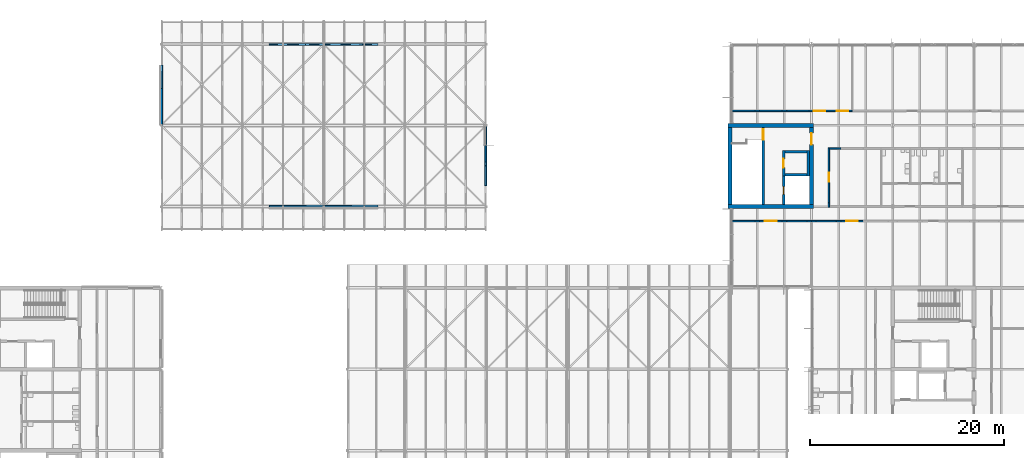
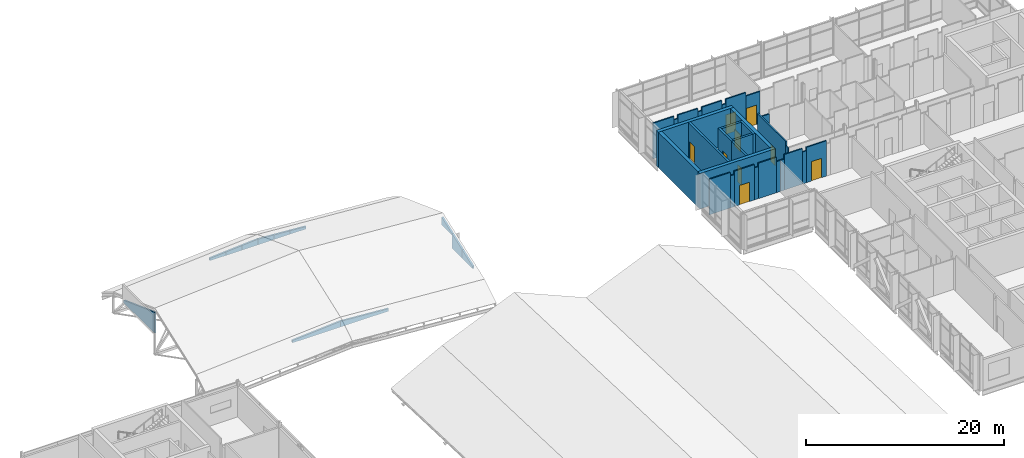
# One storey, part 37 of 76: 43 walls, 9 doors, 9 openings.
"""IFC4 building model written with IfcOpenShell, lengths in metres."""

from ifc_helpers import new_model, si_unit, direction, frame, frame_2d, origin, place, context, subcontext, project, spatial, polyline, rectangle, outline, extrude, material, layer, layer_set, type_object, element, fill, save


model = new_model("IFC4")

# Units and contexts
model_context = context("Model", 3, precision=1e-05, world=origin(), true_north=direction((0.0, 1.0)))
body_context = subcontext(model_context, "Body", "Model", "MODEL_VIEW")
ifc_project = project(units=[si_unit("LENGTHUNIT", "METRE"), si_unit("AREAUNIT", "SQUARE_METRE"), si_unit("VOLUMEUNIT", "CUBIC_METRE"), si_unit("PLANEANGLEUNIT", "RADIAN"), si_unit("MASSUNIT", "GRAM", prefix="KILO")], contexts=[model_context])

# Site, building, storey
site_placement = place(None, origin())
site = spatial("IfcSite", under=ifc_project, at=site_placement, CompositionType="ELEMENT")
building_placement = place(site_placement, origin())
building = spatial("IfcBuilding", under=site, at=building_placement, Name="Hlaing Beacon Police Headquarters", CompositionType="ELEMENT")
storey_placement = place(building_placement, frame((0.0, 0.0, 18.89990234375)))
storey = spatial("IfcBuildingStorey", under=building, at=storey_placement, Name="L04", CompositionType="ELEMENT", Elevation=18.89990234375)

# Walls
ifc_material_1 = material(Name="Concrete C60/75", Category="concrete")
ifc_layer_1 = layer(ifc_material_1, 0.39990234375)
ifc_layer_set_1 = layer_set([ifc_layer_1], Name="Concrete C60/75")
wall_type_1 = type_object("IfcWallType", Name="Core shear wall 400", PredefinedType="SHEAR", material=ifc_layer_set_1)
for number, where, z_axis, x_axis, name in (
    (1, (92.199951171875, 75.60009765625, 0.0), (0.0, 0.0, 1.0), (1.0, 0.0, 0.0), "Core shear wall"),
    (2, (92.199951171875, 84.0, 0.0), (0.0, 0.0, 1.0), (1.0, 0.0, 0.0), "Core shear wall"),
):
    element("IfcWall", number, at=place(storey_placement, frame(where, z_axis=z_axis, x_axis=x_axis)), inside=storey, type_object=wall_type_1, Name=name, PredefinedType="SHEAR", context=body_context, shape_type="SweptSolid", body=[
        extrude(rectangle(XDim=8.800048828125, YDim=0.39990234375, at=frame_2d((4.39990234375, 0.0))), origin(), (0.0, 0.0, 1.0), 4.3701171875),
    ])
wall_1_placement = place(storey_placement, frame((92.39990234375, 75.800048828125, 0.0), z_axis=(0.0, 0.0, 1.0), x_axis=(0.0, 1.0, 0.0)))
element("IfcWall", 3, at=wall_1_placement, inside=storey, type_object=wall_type_1, Name="Core shear wall", PredefinedType="SHEAR", context=body_context, shape_type="SweptSolid", body=[
    extrude(rectangle(XDim=8.0, YDim=0.39990234375, at=frame_2d((4.0, 0.0))), origin(), (0.0, 0.0, 1.0), 4.3701171875),
])

# Wall, opening, door
wall_2_placement = place(storey_placement, frame((100.800048828125, 75.800048828125, 0.0), z_axis=(0.0, 0.0, 1.0), x_axis=(0.0, 1.0, 0.0)))
wall_2 = element("IfcWall", 4, at=wall_2_placement, inside=storey, type_object=wall_type_1, Name="Core shear wall", PredefinedType="SHEAR", context=body_context, shape_type="SweptSolid", body=[
    extrude(rectangle(XDim=8.0, YDim=0.39990234375, at=frame_2d((4.0, 0.0))), origin(), (0.0, 0.0, 1.0), 4.3701171875),
])
opening_1_placement = place(wall_2_placement, frame((6.199951171875, 0.0, 0.0)))
opening_1 = element("IfcOpeningElement", 5, at=opening_1_placement, cuts=wall_2, Name="Opening L04-932", PredefinedType="OPENING", context=body_context, shape_type="SweptSolid", body=[
    extrude(rectangle(XDim=1.199951171875, YDim=2.10009765625, at=frame_2d((0.60009765625, 1.050048828125))), frame((0.0, 0.2099609375, 0.0), z_axis=(0.0, -1.0, 0.0), x_axis=(1.0, 0.0, 0.0)), (0.0, 0.0, 1.0), 0.419921875),
])
ifc_material_2 = material(Name="Steel fire door leaf", Category="steel")
ifc_layer_2 = layer(ifc_material_2, 0.070068359375)
ifc_layer_set_2 = layer_set([ifc_layer_2], Name="Steel fire door leaf")
door_type_1 = type_object("IfcDoorType", Name="Steel fire door FD60S 1200x2100", OperationType="SINGLE_SWING_LEFT", PredefinedType="DOOR", material=ifc_layer_set_2)
door_1_placement = place(opening_1_placement, origin())
door_1 = element("IfcDoor", 6, at=door_1_placement, inside=storey, type_object=door_type_1, Name="Door Lift and Stair Lobby ST-Q Entry", OperationType="SINGLE_SWING_RIGHT", OverallHeight=2.10009765625, OverallWidth=1.199951171875, PredefinedType="DOOR", context=body_context, shape_type="SweptSolid", body=[
    extrude(rectangle(XDim=1.199951171875, YDim=2.10009765625, at=frame_2d((0.60009765625, 1.050048828125))), frame((0.0, 0.03515625, 0.0), z_axis=(0.0, -1.0, 0.0), x_axis=(1.0, 0.0, 0.0)), (0.0, 0.0, 1.0), 0.070068359375),
])
fill(opening_1, door_1)

# Wall
ifc_material_3 = material(Name="Gypsum board partition")
ifc_layer_3 = layer(ifc_material_3, 0.14990234375)
ifc_layer_set_3 = layer_set([ifc_layer_3], Name="Gypsum board partition")
wall_type_2 = type_object("IfcWallType", Name="Corridor wall EI 30 150", PredefinedType="PARTITIONING", material=ifc_layer_set_3)
wall_3_placement = place(storey_placement, frame((102.60009765625, 75.52490234375, 0.0), z_axis=(0.0, 0.0, 1.0), x_axis=(0.0, 1.0, 0.0)))
element("IfcWall", 7, at=wall_3_placement, inside=storey, type_object=wall_type_2, Name="Corridor wall EI 30 150", PredefinedType="PARTITIONING", context=body_context, shape_type="SweptSolid", body=[
    extrude(rectangle(XDim=0.460205078125, YDim=0.14990234375, at=frame_2d((0.22998046875, 0.0))), origin(), (0.0, 0.0, 1.0), 3.819091796875),
])

# Wall, opening, door
wall_4_placement = place(storey_placement, frame((102.60009765625, 75.985107421875, 0.0), z_axis=(0.0, 0.0, 1.0), x_axis=(0.0, 1.0, 0.0)))
wall_4 = element("IfcWall", 8, at=wall_4_placement, inside=storey, type_object=wall_type_2, Name="Corridor wall EI 30 150", PredefinedType="PARTITIONING", context=body_context, shape_type="SweptSolid", body=[
    extrude(rectangle(XDim=5.68994140625, YDim=0.14990234375, at=frame_2d((2.844970703125, 0.0))), origin(), (0.0, 0.0, 1.0), 4.3701171875),
])
opening_2_placement = place(wall_4_placement, frame((2.18994140625, 0.0, 0.0)))
opening_2 = element("IfcOpeningElement", 9, at=opening_2_placement, cuts=wall_4, Name="Opening L04-021", PredefinedType="OPENING", context=body_context, shape_type="SweptSolid", body=[
    extrude(rectangle(XDim=0.89990234375, YDim=2.10009765625, at=frame_2d((0.449951171875, 1.050048828125))), frame((0.0, 0.0849609375, 0.0), z_axis=(0.0, -1.0, 0.0), x_axis=(1.0, 0.0, 0.0)), (0.0, 0.0, 1.0), 0.169921875),
])
ifc_material_4 = material(Name="Hardwood door leaf", Category="wood")
ifc_layer_4 = layer(ifc_material_4, 0.050048828125)
ifc_layer_set_4 = layer_set([ifc_layer_4], Name="Hardwood door leaf")
door_type_2 = type_object("IfcDoorType", Name="Fire door FD30S 900x2100", OperationType="SINGLE_SWING_LEFT", PredefinedType="DOOR", material=ifc_layer_set_4)
door_2_placement = place(opening_2_placement, frame((0.89990234375, 0.0, 0.0), z_axis=(0.0, 0.0, 1.0), x_axis=(-1.0, 0.0, 0.0)))
door_2 = element("IfcDoor", 10, at=door_2_placement, inside=storey, type_object=door_type_2, Name="Door Training Stores", OperationType="SINGLE_SWING_RIGHT", OverallHeight=2.10009765625, OverallWidth=0.89990234375, PredefinedType="DOOR", context=body_context, shape_type="SweptSolid", body=[
    extrude(rectangle(XDim=0.89990234375, YDim=2.10009765625, at=frame_2d((0.449951171875, 1.050048828125))), frame((0.0, 0.025146484375, 0.0), z_axis=(0.0, -1.0, 0.0), x_axis=(1.0, 0.0, 0.0)), (0.0, 0.0, 1.0), 0.050048828125),
])
fill(opening_2, door_2)

# Walls
wall_5_placement = place(storey_placement, frame((102.675048828125, 81.60009765625, 0.0), z_axis=(0.0, 0.0, 1.0), x_axis=(1.0, 0.0, 0.0)))
element("IfcWall", 11, at=wall_5_placement, inside=storey, type_object=wall_type_2, Name="Corridor wall EI 30 150", PredefinedType="PARTITIONING", context=body_context, shape_type="SweptSolid", body=[
    extrude(rectangle(XDim=1.155029296875, YDim=0.14990234375, at=frame_2d((0.57763671875, 0.0))), origin(), (0.0, 0.0, 1.0), 3.946044921875),
])
wall_6_placement = place(storey_placement, frame((92.550048828125, 85.5, 0.0), z_axis=(0.0, 0.0, 1.0), x_axis=(1.0, 0.0, 0.0)))
element("IfcWall", 12, at=wall_6_placement, inside=storey, type_object=wall_type_2, Name="Corridor wall EI 30 150", PredefinedType="PARTITIONING", context=body_context, shape_type="SweptSolid", body=[
    extrude(rectangle(XDim=2.419921875, YDim=0.14990234375, at=frame_2d((1.2099609375, 0.0))), origin(), (0.0, 0.0, 1.0), 4.3701171875),
])
wall_7_placement = place(storey_placement, frame((94.969970703125, 85.5, 0.0), z_axis=(0.0, 0.0, 1.0), x_axis=(1.0, 0.0, 0.0)))
element("IfcWall", 13, at=wall_7_placement, inside=storey, type_object=wall_type_2, Name="Corridor wall EI 30 150", PredefinedType="PARTITIONING", context=body_context, shape_type="SweptSolid", body=[
    extrude(rectangle(XDim=0.4599609375, YDim=0.14990234375, at=frame_2d((0.22998046875, 0.0))), origin(), (0.0, 0.0, 1.0), 3.946044921875),
])
wall_8_placement = place(storey_placement, frame((95.429931640625, 85.5, 0.0), z_axis=(0.0, 0.0, 1.0), x_axis=(1.0, 0.0, 0.0)))
element("IfcWall", 14, at=wall_8_placement, inside=storey, type_object=wall_type_2, Name="Corridor wall EI 30 150", PredefinedType="PARTITIONING", context=body_context, shape_type="SweptSolid", body=[
    extrude(rectangle(XDim=2.340087890625, YDim=0.14990234375, at=frame_2d((1.169921875, 0.0))), origin(), (0.0, 0.0, 1.0), 4.3701171875),
])
wall_9_placement = place(storey_placement, frame((97.77001953125, 85.5, 0.0), z_axis=(0.0, 0.0, 1.0), x_axis=(1.0, 0.0, 0.0)))
element("IfcWall", 15, at=wall_9_placement, inside=storey, type_object=wall_type_2, Name="Corridor wall EI 30 150", PredefinedType="PARTITIONING", context=body_context, shape_type="SweptSolid", body=[
    extrude(rectangle(XDim=0.4599609375, YDim=0.14990234375, at=frame_2d((0.22998046875, 0.0))), origin(), (0.0, 0.0, 1.0), 3.946044921875),
])
wall_10_placement = place(storey_placement, frame((98.22998046875, 85.5, 0.0), z_axis=(0.0, 0.0, 1.0), x_axis=(1.0, 0.0, 0.0)))
element("IfcWall", 16, at=wall_10_placement, inside=storey, type_object=wall_type_2, Name="Corridor wall EI 30 150", PredefinedType="PARTITIONING", context=body_context, shape_type="SweptSolid", body=[
    extrude(rectangle(XDim=2.340087890625, YDim=0.14990234375, at=frame_2d((1.169921875, 0.0))), origin(), (0.0, 0.0, 1.0), 4.3701171875),
])
wall_11_placement = place(storey_placement, frame((100.570068359375, 85.5, 0.0), z_axis=(0.0, 0.0, 1.0), x_axis=(1.0, 0.0, 0.0)))
element("IfcWall", 17, at=wall_11_placement, inside=storey, type_object=wall_type_2, Name="Corridor wall EI 30 150", PredefinedType="PARTITIONING", context=body_context, shape_type="SweptSolid", body=[
    extrude(rectangle(XDim=0.4599609375, YDim=0.14990234375, at=frame_2d((0.22998046875, 0.0))), origin(), (0.0, 0.0, 1.0), 3.819091796875),
])

# Wall, opening, door
wall_12_placement = place(storey_placement, frame((101.030029296875, 85.5, 0.0), z_axis=(0.0, 0.0, 1.0), x_axis=(1.0, 0.0, 0.0)))
wall_12 = element("IfcWall", 18, at=wall_12_placement, inside=storey, type_object=wall_type_2, Name="Corridor wall EI 30 150", PredefinedType="PARTITIONING", context=body_context, shape_type="SweptSolid", body=[
    extrude(rectangle(XDim=2.340087890625, YDim=0.14990234375, at=frame_2d((1.169921875, 0.0))), origin(), (0.0, 0.0, 1.0), 4.3701171875),
])
opening_3_placement = place(wall_12_placement, frame((0.02001953125, 0.0, 0.0)))
opening_3 = element("IfcOpeningElement", 19, at=opening_3_placement, cuts=wall_12, Name="Opening L04-027", PredefinedType="OPENING", context=body_context, shape_type="SweptSolid", body=[
    extrude(rectangle(XDim=1.199951171875, YDim=2.39990234375, at=frame_2d((0.60009765625, 1.199951171875))), frame((0.0, 0.0849609375, 0.0), z_axis=(0.0, -1.0, 0.0), x_axis=(1.0, 0.0, 0.0)), (0.0, 0.0, 1.0), 0.169921875),
])
ifc_material_5 = material(Name="Hardwood door leaf", Category="wood")
ifc_layer_5 = layer(ifc_material_5, 0.050048828125)
ifc_layer_set_5 = layer_set([ifc_layer_5], Name="Hardwood door leaf")
door_type_3 = type_object("IfcDoorType", Name="Fire public door FD30S 1200x2400", OperationType="SINGLE_SWING_LEFT", PredefinedType="DOOR", material=ifc_layer_set_5)
door_3_placement = place(opening_3_placement, frame((1.199951171875, 0.0, 0.0), z_axis=(0.0, 0.0, 1.0), x_axis=(-1.0, 0.0, 0.0)))
door_3 = element("IfcDoor", 20, at=door_3_placement, inside=storey, type_object=door_type_3, Name="Door Scenario Training Room 3", OperationType="SINGLE_SWING_RIGHT", OverallHeight=2.39990234375, OverallWidth=1.199951171875, PredefinedType="DOOR", context=body_context, shape_type="SweptSolid", body=[
    extrude(rectangle(XDim=1.199951171875, YDim=2.39990234375, at=frame_2d((0.599853515625, 1.199951171875))), frame((0.0, 0.025146484375, 0.0), z_axis=(0.0, -1.0, 0.0), x_axis=(1.0, 0.0, 0.0)), (0.0, 0.0, 1.0), 0.050048828125),
])
fill(opening_3, door_3)

wall_13_placement = place(storey_placement, frame((103.3701171875, 85.5, 0.0), z_axis=(0.0, 0.0, 1.0), x_axis=(1.0, 0.0, 0.0)))
wall_13 = element("IfcWall", 21, at=wall_13_placement, inside=storey, type_object=wall_type_2, Name="Corridor wall EI 30 150", PredefinedType="PARTITIONING", context=body_context, shape_type="SweptSolid", body=[
    extrude(rectangle(XDim=1.6298828125, YDim=0.14990234375, at=frame_2d((0.81494140625, 0.0))), origin(), (0.0, 0.0, 1.0), 3.946044921875),
])
opening_4_placement = place(wall_13_placement, frame((0.030029296875, 0.0, 0.0)))
opening_4 = element("IfcOpeningElement", 22, at=opening_4_placement, cuts=wall_13, Name="Opening L04-028", PredefinedType="OPENING", context=body_context, shape_type="SweptSolid", body=[
    extrude(rectangle(XDim=1.199951171875, YDim=2.39990234375, at=frame_2d((0.60009765625, 1.199951171875))), frame((0.0, 0.0849609375, 0.0), z_axis=(0.0, -1.0, 0.0), x_axis=(1.0, 0.0, 0.0)), (0.0, 0.0, 1.0), 0.169921875),
])
door_4_placement = place(opening_4_placement, frame((1.199951171875, 0.0, 0.0), z_axis=(0.0, 0.0, 1.0), x_axis=(-1.0, 0.0, 0.0)))
door_4 = element("IfcDoor", 23, at=door_4_placement, inside=storey, type_object=door_type_3, Name="Door Scenario Training Room 3", OperationType="SINGLE_SWING_LEFT", OverallHeight=2.39990234375, OverallWidth=1.199951171875, PredefinedType="DOOR", context=body_context, shape_type="SweptSolid", body=[
    extrude(rectangle(XDim=1.199951171875, YDim=2.39990234375, at=frame_2d((0.599853515625, 1.199951171875))), frame((0.0, 0.025146484375, 0.0), z_axis=(0.0, -1.0, 0.0), x_axis=(1.0, 0.0, 0.0)), (0.0, 0.0, 1.0), 0.050048828125),
])
fill(opening_4, door_4)

# Walls
wall_14_placement = place(storey_placement, frame((92.550048828125, 74.10009765625, 0.0), z_axis=(0.0, 0.0, 1.0), x_axis=(1.0, 0.0, 0.0)))
element("IfcWall", 24, at=wall_14_placement, inside=storey, type_object=wall_type_2, Name="Corridor wall EI 30 150", PredefinedType="PARTITIONING", context=body_context, shape_type="SweptSolid", body=[
    extrude(rectangle(XDim=2.419921875, YDim=0.14990234375, at=frame_2d((1.2099609375, 0.0))), origin(), (0.0, 0.0, 1.0), 4.3701171875),
])
wall_15_placement = place(storey_placement, frame((94.969970703125, 74.10009765625, 0.0), z_axis=(0.0, 0.0, 1.0), x_axis=(1.0, 0.0, 0.0)))
element("IfcWall", 25, at=wall_15_placement, inside=storey, type_object=wall_type_2, Name="Corridor wall EI 30 150", PredefinedType="PARTITIONING", context=body_context, shape_type="SweptSolid", body=[
    extrude(rectangle(XDim=0.4599609375, YDim=0.14990234375, at=frame_2d((0.22998046875, 0.0))), origin(), (0.0, 0.0, 1.0), 3.946044921875),
])

# Wall, opening, door
wall_16_placement = place(storey_placement, frame((95.429931640625, 74.10009765625, 0.0), z_axis=(0.0, 0.0, 1.0), x_axis=(1.0, 0.0, 0.0)))
wall_16 = element("IfcWall", 26, at=wall_16_placement, inside=storey, type_object=wall_type_2, Name="Corridor wall EI 30 150", PredefinedType="PARTITIONING", context=body_context, shape_type="SweptSolid", body=[
    extrude(rectangle(XDim=2.340087890625, YDim=0.14990234375, at=frame_2d((1.169921875, 0.0))), origin(), (0.0, 0.0, 1.0), 4.3701171875),
])
opening_5_placement = place(wall_16_placement, frame((0.570068359375, 0.0, 0.0)))
opening_5 = element("IfcOpeningElement", 27, at=opening_5_placement, cuts=wall_16, Name="Opening L04-033", PredefinedType="OPENING", context=body_context, shape_type="SweptSolid", body=[
    extrude(rectangle(XDim=1.199951171875, YDim=2.39990234375, at=frame_2d((0.60009765625, 1.199951171875))), frame((0.0, 0.0849609375, 0.0), z_axis=(0.0, -1.0, 0.0), x_axis=(1.0, 0.0, 0.0)), (0.0, 0.0, 1.0), 0.169921875),
])
door_5_placement = place(opening_5_placement, frame((1.199951171875, 0.0, 0.0), z_axis=(0.0, 0.0, 1.0), x_axis=(-1.0, 0.0, 0.0)))
door_5 = element("IfcDoor", 28, at=door_5_placement, inside=storey, type_object=door_type_3, Name="Door Classroom 7", OperationType="SINGLE_SWING_RIGHT", OverallHeight=2.39990234375, OverallWidth=1.199951171875, PredefinedType="DOOR", context=body_context, shape_type="SweptSolid", body=[
    extrude(rectangle(XDim=1.199951171875, YDim=2.39990234375, at=frame_2d((0.599853515625, 1.199951171875))), frame((0.0, 0.025146484375, 0.0), z_axis=(0.0, -1.0, 0.0), x_axis=(1.0, 0.0, 0.0)), (0.0, 0.0, 1.0), 0.050048828125),
])
fill(opening_5, door_5)

# Walls
wall_17_placement = place(storey_placement, frame((97.77001953125, 74.10009765625, 0.0), z_axis=(0.0, 0.0, 1.0), x_axis=(1.0, 0.0, 0.0)))
element("IfcWall", 29, at=wall_17_placement, inside=storey, type_object=wall_type_2, Name="Corridor wall EI 30 150", PredefinedType="PARTITIONING", context=body_context, shape_type="SweptSolid", body=[
    extrude(rectangle(XDim=0.4599609375, YDim=0.14990234375, at=frame_2d((0.22998046875, 0.0))), origin(), (0.0, 0.0, 1.0), 3.946044921875),
])
wall_18_placement = place(storey_placement, frame((98.22998046875, 74.10009765625, 0.0), z_axis=(0.0, 0.0, 1.0), x_axis=(1.0, 0.0, 0.0)))
element("IfcWall", 30, at=wall_18_placement, inside=storey, type_object=wall_type_2, Name="Corridor wall EI 30 150", PredefinedType="PARTITIONING", context=body_context, shape_type="SweptSolid", body=[
    extrude(rectangle(XDim=2.110107421875, YDim=0.14990234375, at=frame_2d((1.05517578125, 0.0))), origin(), (0.0, 0.0, 1.0), 4.3701171875),
])
for number, where, z_axis, x_axis, name in (
    (31, (100.340087890625, 74.10009765625, 0.0), (0.0, 0.0, 1.0), (1.0, 0.0, 0.0), "Corridor wall EI 30 150"),
    (32, (100.800048828125, 74.10009765625, 0.0), (0.0, 0.0, 1.0), (1.0, 0.0, 0.0), "Corridor wall EI 30 150"),
):
    element("IfcWall", number, at=place(storey_placement, frame(where, z_axis=z_axis, x_axis=x_axis)), inside=storey, type_object=wall_type_2, Name=name, PredefinedType="PARTITIONING", context=body_context, shape_type="SweptSolid", body=[
        extrude(rectangle(XDim=0.4599609375, YDim=0.14990234375, at=frame_2d((0.22998046875, 0.0))), origin(), (0.0, 0.0, 1.0), 3.819091796875),
    ])
wall_19_placement = place(storey_placement, frame((101.260009765625, 74.10009765625, 0.0), z_axis=(0.0, 0.0, 1.0), x_axis=(1.0, 0.0, 0.0)))
element("IfcWall", 33, at=wall_19_placement, inside=storey, type_object=wall_type_2, Name="Corridor wall EI 30 150", PredefinedType="PARTITIONING", context=body_context, shape_type="SweptSolid", body=[
    extrude(rectangle(XDim=2.110107421875, YDim=0.14990234375, at=frame_2d((1.05517578125, 0.0))), origin(), (0.0, 0.0, 1.0), 4.3701171875),
])
wall_20_placement = place(storey_placement, frame((103.3701171875, 74.10009765625, 0.0), z_axis=(0.0, 0.0, 1.0), x_axis=(1.0, 0.0, 0.0)))
element("IfcWall", 34, at=wall_20_placement, inside=storey, type_object=wall_type_2, Name="Corridor wall EI 30 150", PredefinedType="PARTITIONING", context=body_context, shape_type="SweptSolid", body=[
    extrude(rectangle(XDim=0.4599609375, YDim=0.14990234375, at=frame_2d((0.22998046875, 0.0))), origin(), (0.0, 0.0, 1.0), 3.946044921875),
])

# Wall, opening, door
wall_21_placement = place(storey_placement, frame((103.830078125, 74.10009765625, 0.0), z_axis=(0.0, 0.0, 1.0), x_axis=(1.0, 0.0, 0.0)))
wall_21 = element("IfcWall", 35, at=wall_21_placement, inside=storey, type_object=wall_type_2, Name="Corridor wall EI 30 150", PredefinedType="PARTITIONING", context=body_context, shape_type="SweptSolid", body=[
    extrude(rectangle(XDim=2.33984375, YDim=0.14990234375, at=frame_2d((1.169921875, 0.0))), origin(), (0.0, 0.0, 1.0), 4.3701171875),
])
opening_6_placement = place(wall_21_placement, frame((0.570068359375, 0.0, 0.0)))
opening_6 = element("IfcOpeningElement", 36, at=opening_6_placement, cuts=wall_21, Name="Opening L04-034", PredefinedType="OPENING", context=body_context, shape_type="SweptSolid", body=[
    extrude(rectangle(XDim=1.199951171875, YDim=2.39990234375, at=frame_2d((0.60009765625, 1.199951171875))), frame((0.0, 0.0849609375, 0.0), z_axis=(0.0, -1.0, 0.0), x_axis=(1.0, 0.0, 0.0)), (0.0, 0.0, 1.0), 0.169921875),
])
door_6_placement = place(opening_6_placement, frame((1.199951171875, 0.0, 0.0), z_axis=(0.0, 0.0, 1.0), x_axis=(-1.0, 0.0, 0.0)))
door_6 = element("IfcDoor", 37, at=door_6_placement, inside=storey, type_object=door_type_3, Name="Door Classroom 8", OperationType="SINGLE_SWING_LEFT", OverallHeight=2.39990234375, OverallWidth=1.199951171875, PredefinedType="DOOR", context=body_context, shape_type="SweptSolid", body=[
    extrude(rectangle(XDim=1.199951171875, YDim=2.39990234375, at=frame_2d((0.599853515625, 1.199951171875))), frame((0.0, 0.025146484375, 0.0), z_axis=(0.0, -1.0, 0.0), x_axis=(1.0, 0.0, 0.0)), (0.0, 0.0, 1.0), 0.050048828125),
])
fill(opening_6, door_6)

# Walls
ifc_material_6 = material(Name="Insulated aluminium cladding system", Category="aluminium")
ifc_layer_6 = layer(ifc_material_6, 0.199951171875)
ifc_layer_set_6 = layer_set([ifc_layer_6], Name="Insulated aluminium cladding system")
wall_type_3 = type_object("IfcWallType", Name="Insulated aluminium clad wall 200", PredefinedType="SOLIDWALL", material=ifc_layer_set_6)
wall_22_placement = place(storey_placement, frame((56.0, 92.35009765625, 0.0), z_axis=(0.0, 0.0, 1.0), x_axis=(-1.0, 0.0, 0.0)))
element("IfcWall", 38, at=wall_22_placement, inside=storey, type_object=wall_type_3, Name="Gable fascia L04 N007", PredefinedType="SOLIDWALL", context=body_context, shape_type="SweptSolid", body=[
    extrude(outline(polyline([(0.0, 0.0), (1.86669921875, 0.0), (1.86669921875, 0.433349609375), (0.0, 0.300048828125), (0.0, 0.0)])), frame((0.0, 0.10009765625, 0.0), z_axis=(0.0, -1.0, 0.0), x_axis=(1.0, 0.0, 0.0)), (0.0, 0.0, 1.0), 0.199951171875),
])
wall_23_placement = place(storey_placement, frame((54.13330078125, 92.35009765625, 0.0), z_axis=(0.0, 0.0, 1.0), x_axis=(-1.0, 0.0, 0.0)))
element("IfcWall", 39, at=wall_23_placement, inside=storey, type_object=wall_type_3, Name="Gable fascia L04 N008", PredefinedType="SOLIDWALL", context=body_context, shape_type="SweptSolid", body=[
    extrude(outline(polyline([(0.0, 0.0), (1.86669921875, 0.0), (1.86669921875, 0.56689453125), (0.0, 0.433349609375), (0.0, 0.0)])), frame((0.0, 0.10009765625, 0.0), z_axis=(0.0, -1.0, 0.0), x_axis=(1.0, 0.0, 0.0)), (0.0, 0.0, 1.0), 0.199951171875),
])
wall_24_placement = place(storey_placement, frame((52.2666015625, 92.35009765625, 0.0), z_axis=(0.0, 0.0, 1.0), x_axis=(-1.0, 0.0, 0.0)))
element("IfcWall", 40, at=wall_24_placement, inside=storey, type_object=wall_type_3, Name="Gable fascia L04 N009", PredefinedType="SOLIDWALL", context=body_context, shape_type="SweptSolid", body=[
    extrude(outline(polyline([(0.0, 0.0), (1.86669921875, 0.0), (1.86669921875, 0.7001953125), (0.0, 0.56689453125), (0.0, 0.0)])), frame((0.0, 0.10009765625, 0.0), z_axis=(0.0, -1.0, 0.0), x_axis=(1.0, 0.0, 0.0)), (0.0, 0.0, 1.0), 0.199951171875),
])
wall_25_placement = place(storey_placement, frame((50.39990234375, 92.35009765625, 0.0), z_axis=(0.0, 0.0, 1.0), x_axis=(-1.0, 0.0, 0.0)))
element("IfcWall", 41, at=wall_25_placement, inside=storey, type_object=wall_type_3, Name="Gable fascia L04 N010", PredefinedType="SOLIDWALL", context=body_context, shape_type="SweptSolid", body=[
    extrude(outline(polyline([(0.0, 0.0), (1.86669921875, 0.0), (1.86669921875, 0.56689453125), (0.0, 0.7001953125), (0.0, 0.0)])), frame((0.0, 0.10009765625, 0.0), z_axis=(0.0, -1.0, 0.0), x_axis=(1.0, 0.0, 0.0)), (0.0, 0.0, 1.0), 0.199951171875),
])
wall_26_placement = place(storey_placement, frame((48.533203125, 92.35009765625, 0.0), z_axis=(0.0, 0.0, 1.0), x_axis=(-1.0, 0.0, 0.0)))
element("IfcWall", 42, at=wall_26_placement, inside=storey, type_object=wall_type_3, Name="Gable fascia L04 N011", PredefinedType="SOLIDWALL", context=body_context, shape_type="SweptSolid", body=[
    extrude(outline(polyline([(0.0, 0.0), (1.866455078125, 0.0), (1.86669921875, 0.433349609375), (0.0, 0.56689453125), (0.0, 0.0)])), frame((0.0, 0.10009765625, 0.0), z_axis=(0.0, -1.0, 0.0), x_axis=(1.0, 0.0, 0.0)), (0.0, 0.0, 1.0), 0.199951171875),
])
wall_27_placement = place(storey_placement, frame((46.666748046875, 92.35009765625, 0.0), z_axis=(0.0, 0.0, 1.0), x_axis=(-1.0, 0.0, 0.0)))
element("IfcWall", 43, at=wall_27_placement, inside=storey, type_object=wall_type_3, Name="Gable fascia L04 N012", PredefinedType="SOLIDWALL", context=body_context, shape_type="SweptSolid", body=[
    extrude(outline(polyline([(0.0, 0.0), (1.86669921875, 0.0), (1.86669921875, 0.300048828125), (0.0, 0.433349609375), (0.0, 0.0)])), frame((0.0, 0.10009765625, 0.0), z_axis=(0.0, -1.0, 0.0), x_axis=(1.0, 0.0, 0.0)), (0.0, 0.0, 1.0), 0.199951171875),
])
wall_28_placement = place(storey_placement, frame((33.64990234375, 90.2314453125, 0.0), z_axis=(0.0, 0.0, 1.0), x_axis=(0.0, -1.0, 0.0)))
element("IfcWall", 44, at=wall_28_placement, inside=storey, type_object=wall_type_3, Name="External wall L04 W013", PredefinedType="SOLIDWALL", context=body_context, shape_type="SweptSolid", body=[
    extrude(outline(polyline([(0.0, 0.0), (6.2314453125, 0.0), (6.2314453125, 2.60009765625), (0.0, 0.300048828125), (0.0, 0.0)])), frame((0.0, 0.10009765625, 0.0), z_axis=(0.0, -1.0, 0.0), x_axis=(1.0, 0.0, 0.0)), (0.0, 0.0, 1.0), 0.199951171875),
])
wall_29_placement = place(storey_placement, frame((44.800048828125, 75.64990234375, 0.0), z_axis=(0.0, 0.0, 1.0), x_axis=(1.0, 0.0, 0.0)))
element("IfcWall", 45, at=wall_29_placement, inside=storey, type_object=wall_type_3, Name="External wall L04 S014", PredefinedType="SOLIDWALL", context=body_context, shape_type="SweptSolid", body=[
    extrude(outline(polyline([(0.0, 0.0), (5.599853515625, 0.0), (5.60009765625, 0.7001953125), (0.0, 0.300048828125), (0.0, 0.0)])), frame((0.0, 0.10009765625, 0.0), z_axis=(0.0, -1.0, 0.0), x_axis=(1.0, 0.0, 0.0)), (0.0, 0.0, 1.0), 0.199951171875),
])
wall_30_placement = place(storey_placement, frame((50.39990234375, 75.64990234375, 0.0), z_axis=(0.0, 0.0, 1.0), x_axis=(1.0, 0.0, 0.0)))
element("IfcWall", 46, at=wall_30_placement, inside=storey, type_object=wall_type_3, Name="External wall L04 S015", PredefinedType="SOLIDWALL", context=body_context, shape_type="SweptSolid", body=[
    extrude(outline(polyline([(0.0, 0.0), (5.60009765625, 0.0), (5.60009765625, 0.300048828125), (0.0, 0.7001953125), (0.0, 0.0)])), frame((0.0, 0.10009765625, 0.0), z_axis=(0.0, -1.0, 0.0), x_axis=(1.0, 0.0, 0.0)), (0.0, 0.0, 1.0), 0.199951171875),
])
wall_31_placement = place(storey_placement, frame((67.14990234375, 77.7685546875, 0.0), z_axis=(0.0, 0.0, 1.0), x_axis=(0.0, 1.0, 0.0)))
element("IfcWall", 47, at=wall_31_placement, inside=storey, type_object=wall_type_3, Name="Gable fascia L04 E016", PredefinedType="SOLIDWALL", context=body_context, shape_type="SweptSolid", body=[
    extrude(outline(polyline([(0.0, 0.0), (2.0771484375, 0.0), (2.0771484375, 1.06689453125), (0.0, 0.300048828125), (0.0, 0.0)])), frame((0.0, 0.10009765625, 0.0), z_axis=(0.0, -1.0, 0.0), x_axis=(1.0, 0.0, 0.0)), (0.0, 0.0, 1.0), 0.199951171875),
])
wall_32_placement = place(storey_placement, frame((67.14990234375, 79.845703125, 0.0), z_axis=(0.0, 0.0, 1.0), x_axis=(0.0, 1.0, 0.0)))
element("IfcWall", 48, at=wall_32_placement, inside=storey, type_object=wall_type_3, Name="Gable fascia L04 E017", PredefinedType="SOLIDWALL", context=body_context, shape_type="SweptSolid", body=[
    extrude(outline(polyline([(0.0, 0.0), (2.0771484375, 0.0), (2.0771484375, 1.83349609375), (0.0, 1.06689453125), (0.0, 0.0)])), frame((0.0, 0.10009765625, 0.0), z_axis=(0.0, -1.0, 0.0), x_axis=(1.0, 0.0, 0.0)), (0.0, 0.0, 1.0), 0.199951171875),
])
wall_33_placement = place(storey_placement, frame((67.14990234375, 81.9228515625, 1.63330078125), z_axis=(0.0, 0.0, 1.0), x_axis=(0.0, 1.0, 0.0)))
element("IfcWall", 49, at=wall_33_placement, inside=storey, type_object=wall_type_3, Name="Gable fascia L04 E018", PredefinedType="SOLIDWALL", context=body_context, shape_type="SweptSolid", body=[
    extrude(outline(polyline([(0.0, 0.0), (2.0771484375, 0.0), (2.0771484375, 0.966796875), (0.0, 0.2001953125), (0.0, 0.0)])), frame((0.0, 0.10009765625, 0.0), z_axis=(0.0, -1.0, 0.0), x_axis=(1.0, 0.0, 0.0)), (0.0, 0.0, 1.0), 0.199951171875),
])

# Wall, opening, door
ifc_material_7 = material(Name="Concrete C40/50", Category="concrete")
ifc_layer_7 = layer(ifc_material_7, 0.25)
ifc_layer_set_7 = layer_set([ifc_layer_7], Name="Concrete C40/50")
wall_type_4 = type_object("IfcWallType", Name="Shaft wall 250", PredefinedType="SOLIDWALL", material=ifc_layer_set_7)
wall_34_placement = place(storey_placement, frame((95.824951171875, 83.800048828125, 0.0), z_axis=(0.0, 0.0, 1.0), x_axis=(0.0, -1.0, 0.0)))
wall_34 = element("IfcWall", 50, at=wall_34_placement, inside=storey, type_object=wall_type_4, Name="Stair enclosure wall", PredefinedType="SOLIDWALL", context=body_context, shape_type="SweptSolid", body=[
    extrude(rectangle(XDim=8.0, YDim=0.25, at=frame_2d((4.0, 0.0))), origin(), (0.0, 0.0, 1.0), 4.3701171875),
])
opening_7_placement = place(wall_34_placement, frame((0.199951171875, 0.0, 0.0)))
opening_7 = element("IfcOpeningElement", 51, at=opening_7_placement, cuts=wall_34, Name="Opening L04-935", PredefinedType="OPENING", context=body_context, shape_type="SweptSolid", body=[
    extrude(rectangle(XDim=1.10009765625, YDim=2.10009765625, at=frame_2d((0.550048828125, 1.050048828125))), frame((0.0, 0.135009765625, 0.0), z_axis=(0.0, -1.0, 0.0), x_axis=(1.0, 0.0, 0.0)), (0.0, 0.0, 1.0), 0.27001953125),
])
ifc_material_8 = material(Name="Steel fire door leaf", Category="steel")
ifc_layer_8 = layer(ifc_material_8, 0.070068359375)
ifc_layer_set_8 = layer_set([ifc_layer_8], Name="Steel fire door leaf")
door_type_4 = type_object("IfcDoorType", Name="Steel fire door FD60 1100x2100", OperationType="SINGLE_SWING_LEFT", PredefinedType="DOOR", material=ifc_layer_set_8)
door_7_placement = place(opening_7_placement, frame((1.10009765625, 0.0, 0.0), z_axis=(0.0, 0.0, 1.0), x_axis=(-1.0, 0.0, 0.0)))
door_7 = element("IfcDoor", 52, at=door_7_placement, inside=storey, type_object=door_type_4, Name="Door Stair ST-Q", OperationType="SINGLE_SWING_LEFT", OverallHeight=2.10009765625, OverallWidth=1.10009765625, PredefinedType="DOOR", context=body_context, shape_type="SweptSolid", body=[
    extrude(rectangle(XDim=1.10009765625, YDim=2.10009765625, at=frame_2d((0.550048828125, 1.050048828125))), frame((0.0, 0.034912109375, 0.0), z_axis=(0.0, -1.0, 0.0), x_axis=(1.0, 0.0, 0.0)), (0.0, 0.0, 1.0), 0.070068359375),
])
fill(opening_7, door_7)

wall_35_placement = place(storey_placement, frame((97.925048828125, 78.75, 0.0), z_axis=(0.0, 0.0, 1.0), x_axis=(0.0, -1.0, 0.0)))
wall_35 = element("IfcWall", 53, at=wall_35_placement, inside=storey, type_object=wall_type_4, Name="Lobby wall", PredefinedType="SOLIDWALL", context=body_context, shape_type="SweptSolid", body=[
    extrude(rectangle(XDim=2.949951171875, YDim=0.25, at=frame_2d((1.47509765625, 0.0))), origin(), (0.0, 0.0, 1.0), 4.3701171875),
])
opening_8_placement = place(wall_35_placement, frame((1.074951171875, 0.0, 0.0)))
opening_8 = element("IfcOpeningElement", 54, at=opening_8_placement, cuts=wall_35, Name="Opening L04-934", PredefinedType="OPENING", context=body_context, shape_type="SweptSolid", body=[
    extrude(rectangle(XDim=0.800048828125, YDim=2.10009765625, at=frame_2d((0.39990234375, 1.050048828125))), frame((0.0, 0.135009765625, 0.0), z_axis=(0.0, -1.0, 0.0), x_axis=(1.0, 0.0, 0.0)), (0.0, 0.0, 1.0), 0.27001953125),
])
ifc_material_9 = material(Name="Steel fire door leaf", Category="steel")
ifc_layer_9 = layer(ifc_material_9, 0.070068359375)
ifc_layer_set_9 = layer_set([ifc_layer_9], Name="Steel fire door leaf")
door_type_5 = type_object("IfcDoorType", Name="Steel fire door FD60 800x2100", OperationType="SINGLE_SWING_LEFT", PredefinedType="DOOR", material=ifc_layer_set_9)
door_8_placement = place(opening_8_placement, origin())
door_8 = element("IfcDoor", 55, at=door_8_placement, inside=storey, type_object=door_type_5, Name="Door Services Riser", OperationType="SINGLE_SWING_RIGHT", OverallHeight=2.10009765625, OverallWidth=0.800048828125, PredefinedType="DOOR", context=body_context, shape_type="SweptSolid", body=[
    extrude(rectangle(XDim=0.800048828125, YDim=2.10009765625, at=frame_2d((0.39990234375, 1.050048828125))), frame((0.0, 0.03515625, 0.0), z_axis=(0.0, -1.0, 0.0), x_axis=(1.0, 0.0, 0.0)), (0.0, 0.0, 1.0), 0.070068359375),
])
fill(opening_8, door_8)

wall_36_placement = place(storey_placement, frame((97.925048828125, 81.39990234375, 0.0), z_axis=(0.0, 0.0, 1.0), x_axis=(0.0, -1.0, 0.0)))
wall_36 = element("IfcWall", 56, at=wall_36_placement, inside=storey, type_object=wall_type_4, Name="Store wall", PredefinedType="SOLIDWALL", context=body_context, shape_type="SweptSolid", body=[
    extrude(rectangle(XDim=2.64990234375, YDim=0.25, at=frame_2d((1.324951171875, 0.0))), origin(), (0.0, 0.0, 1.0), 4.3701171875),
])
opening_9_placement = place(wall_36_placement, frame((0.875, 0.0, 0.0)))
opening_9 = element("IfcOpeningElement", 57, at=opening_9_placement, cuts=wall_36, Name="Opening L04-933", PredefinedType="OPENING", context=body_context, shape_type="SweptSolid", body=[
    extrude(rectangle(XDim=0.89990234375, YDim=2.10009765625, at=frame_2d((0.449951171875, 1.050048828125))), frame((0.0, 0.135009765625, 0.0), z_axis=(0.0, -1.0, 0.0), x_axis=(1.0, 0.0, 0.0)), (0.0, 0.0, 1.0), 0.27001953125),
])
ifc_material_10 = material(Name="Steel fire door leaf", Category="steel")
ifc_layer_10 = layer(ifc_material_10, 0.070068359375)
ifc_layer_set_10 = layer_set([ifc_layer_10], Name="Steel fire door leaf")
door_type_6 = type_object("IfcDoorType", Name="Steel fire door FD60 900x2100", OperationType="SINGLE_SWING_LEFT", PredefinedType="DOOR", material=ifc_layer_set_10)
door_9_placement = place(opening_9_placement, origin())
door_9 = element("IfcDoor", 58, at=door_9_placement, inside=storey, type_object=door_type_6, Name="Door Cleaners' Store", OperationType="SINGLE_SWING_RIGHT", OverallHeight=2.10009765625, OverallWidth=0.89990234375, PredefinedType="DOOR", context=body_context, shape_type="SweptSolid", body=[
    extrude(rectangle(XDim=0.89990234375, YDim=2.10009765625, at=frame_2d((0.449951171875, 1.050048828125))), frame((0.0, 0.03515625, 0.0), z_axis=(0.0, -1.0, 0.0), x_axis=(1.0, 0.0, 0.0)), (0.0, 0.0, 1.0), 0.070068359375),
])
fill(opening_9, door_9)

# Walls
wall_37_placement = place(storey_placement, frame((100.47509765625, 81.39990234375, 0.0), z_axis=(0.0, 0.0, 1.0), x_axis=(0.0, -1.0, 0.0)))
element("IfcWall", 59, at=wall_37_placement, inside=storey, type_object=wall_type_4, Name="Store wall", PredefinedType="SOLIDWALL", context=body_context, shape_type="SweptSolid", body=[
    extrude(rectangle(XDim=2.64990234375, YDim=0.25, at=frame_2d((1.324951171875, 0.0))), origin(), (0.0, 0.0, 1.0), 4.3701171875),
])
for number, where, z_axis, x_axis, name in (
    (60, (98.050048828125, 81.27490234375, 0.0), (0.0, 0.0, 1.0), (1.0, 0.0, 0.0), "Store wall"),
    (61, (98.050048828125, 78.875, 0.0), (0.0, 0.0, 1.0), (1.0, 0.0, 0.0), "Store wall"),
):
    element("IfcWall", number, at=place(storey_placement, frame(where, z_axis=z_axis, x_axis=x_axis)), inside=storey, type_object=wall_type_4, Name=name, PredefinedType="SOLIDWALL", context=body_context, shape_type="SweptSolid", body=[
        extrude(rectangle(XDim=2.300048828125, YDim=0.25, at=frame_2d((1.14990234375, 0.0))), origin(), (0.0, 0.0, 1.0), 4.3701171875),
    ])

save(model, "model.ifc")
